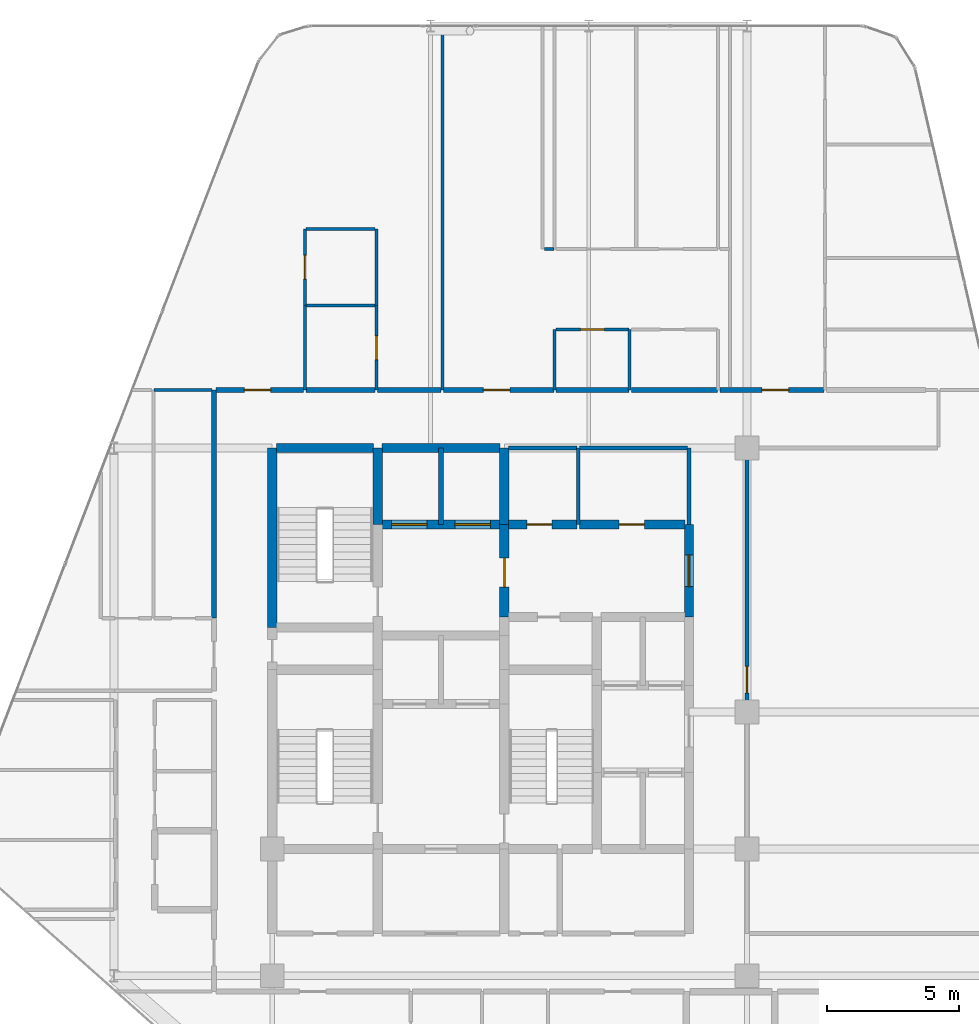
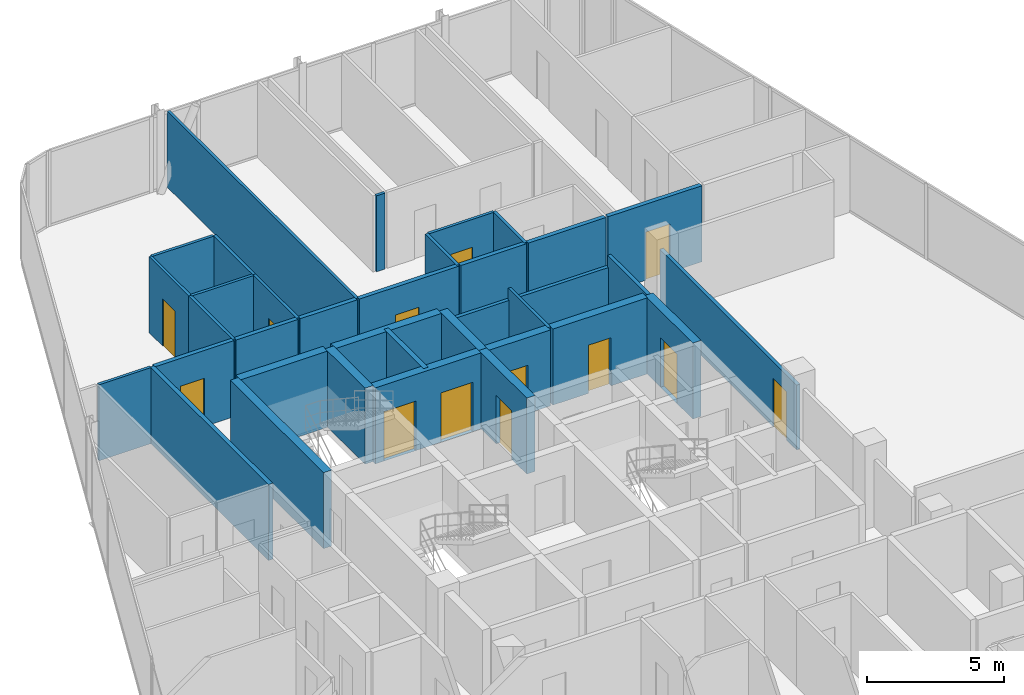
# One storey, part 27 of 29: 36 walls, 13 doors, 13 openings.
"""IFC4 building model written with IfcOpenShell, lengths in metres."""

from ifc_helpers import new_model, si_unit, direction, frame, frame_2d, origin, place, context, subcontext, project, spatial, rectangle, extrude, material, layer, layer_set, type_object, element, fill, save


model = new_model("IFC4")

# Units and contexts
model_context = context("Model", 3, precision=1e-05, world=origin(), true_north=direction((0.0, 1.0)))
body_context = subcontext(model_context, "Body", "Model", "MODEL_VIEW")
ifc_project = project(units=[si_unit("LENGTHUNIT", "METRE"), si_unit("AREAUNIT", "SQUARE_METRE"), si_unit("VOLUMEUNIT", "CUBIC_METRE"), si_unit("PLANEANGLEUNIT", "RADIAN"), si_unit("MASSUNIT", "GRAM", prefix="KILO")], contexts=[model_context])

# Site, building, storey
site_placement = place(None, origin())
site = spatial("IfcSite", under=ifc_project, at=site_placement, CompositionType="ELEMENT")
building_placement = place(site_placement, origin())
building = spatial("IfcBuilding", under=site, at=building_placement, Name="Keshet Zoharim Tower", CompositionType="ELEMENT")
storey_placement = place(building_placement, frame((0.0, 0.0, 169.10009765625)))
storey = spatial("IfcBuildingStorey", under=building, at=storey_placement, Name="L41", CompositionType="ELEMENT", Elevation=169.10009765625)

# Walls
ifc_material_1 = material(Name="Gypsum Plasterboard", Category="gypsum")
ifc_layer_1 = layer(ifc_material_1, 0.14990234375)
ifc_layer_set_1 = layer_set([ifc_layer_1], Name="Gypsum Plasterboard")
wall_type_1 = type_object("IfcWallType", Name="WL-CLIN-150", PredefinedType="STANDARD", material=ifc_layer_set_1)
wall_1_placement = place(storey_placement, frame((30.800048828125, 35.0, 0.0), z_axis=(0.0, 0.0, 1.0), x_axis=(0.0, 1.0, 0.0)))
element("IfcWall", 1, at=wall_1_placement, inside=storey, type_object=wall_type_1, Name="L41 Interior Wall 064", PredefinedType="STANDARD", context=body_context, shape_type="SweptSolid", body=[
    extrude(rectangle(XDim=2.89990234375, YDim=0.14990234375, at=frame_2d((1.449951171875, 0.0))), origin(), (0.0, 0.0, 1.0), 3.389892578125),
])
wall_2_placement = place(storey_placement, frame((23.9599609375, 37.89990234375, 0.0), z_axis=(0.0, 0.0, 1.0), x_axis=(1.0, 0.0, 0.0)))
element("IfcWall", 2, at=wall_2_placement, inside=storey, type_object=wall_type_1, Name="L41 Interior Wall 160", PredefinedType="STANDARD", context=body_context, shape_type="SweptSolid", body=[
    extrude(rectangle(XDim=2.594970703125, YDim=0.14990234375, at=frame_2d((1.29736328125, 0.0))), origin(), (0.0, 0.0, 1.0), 2.889892578125),
])
wall_3_placement = place(storey_placement, frame((26.64501953125, 37.89990234375, 0.0), z_axis=(0.0, 0.0, 1.0), x_axis=(1.0, 0.0, 0.0)))
element("IfcWall", 3, at=wall_3_placement, inside=storey, type_object=wall_type_1, Name="L41 Interior Wall 161", PredefinedType="STANDARD", context=body_context, shape_type="SweptSolid", body=[
    extrude(rectangle(XDim=4.094970703125, YDim=0.14990234375, at=frame_2d((2.04736328125, 0.0))), origin(), (0.0, 0.0, 1.0), 2.889892578125),
])

# Wall, opening, door
wall_4_placement = place(storey_placement, frame((33.0, 27.89990234375, 0.0), z_axis=(0.0, 0.0, 1.0), x_axis=(0.0, 1.0, 0.0)))
wall_4 = element("IfcWall", 4, at=wall_4_placement, inside=storey, type_object=wall_type_1, Name="L41 Interior Wall 068 Part 2", PredefinedType="STANDARD", context=body_context, shape_type="SweptSolid", body=[
    extrude(rectangle(XDim=9.989990234375, YDim=0.14990234375, at=frame_2d((4.9951171875, 0.0))), origin(), (0.0, 0.0, 1.0), 2.889892578125),
])
opening_1_placement = place(wall_4_placement, frame((0.721923828125, 0.0, 0.0)))
opening_1 = element("IfcOpeningElement", 5, at=opening_1_placement, cuts=wall_4, Name="Opening D-F310", PredefinedType="OPENING", context=body_context, shape_type="SweptSolid", body=[
    extrude(rectangle(XDim=1.0, YDim=2.14990234375, at=frame_2d((0.5, 1.074951171875))), frame((0.0, 0.0849609375, 0.0), z_axis=(0.0, -1.0, 0.0), x_axis=(1.0, 0.0, 0.0)), (0.0, 0.0, 1.0), 0.169921875),
])
ifc_material_2 = material(Name="Hardwood Timber", Category="wood")
door_type_1 = type_object("IfcDoorType", Name="DR-FD30-100", OperationType="NOTDEFINED", PredefinedType="DOOR", material=ifc_material_2)
door_1_placement = place(opening_1_placement, origin())
door_1 = element("IfcDoor", 6, at=door_1_placement, inside=storey, type_object=door_type_1, Name="L41 South East Residents Services Suite Door 2", OperationType="SINGLE_SWING_LEFT", OverallHeight=2.14990234375, OverallWidth=1.0, PredefinedType="DOOR", context=body_context, shape_type="SweptSolid", body=[
    extrude(rectangle(XDim=1.0, YDim=2.14990234375, at=frame_2d((0.5, 1.074951171875))), frame((0.0, 0.02490234375, 0.0), z_axis=(0.0, -1.0, 0.0), x_axis=(1.0, 0.0, 0.0)), (0.0, 0.0, 1.0), 0.050048828125),
])
fill(opening_1, door_1)

# Walls
ifc_material_3 = material(Name="Concrete C60/75", Category="concrete")
ifc_layer_2 = layer(ifc_material_3, 0.35009765625)
ifc_layer_set_2 = layer_set([ifc_layer_2], Name="Concrete C60/75")
wall_type_2 = type_object("IfcWallType", Name="WL-CORE-350", PredefinedType="SHEAR", material=ifc_layer_set_2)
wall_5_placement = place(storey_placement, frame((15.0, 31.10009765625, 0.0), z_axis=(0.0, 0.0, 1.0), x_axis=(0.0, 1.0, 0.0)))
element("IfcWall", 7, at=wall_5_placement, inside=storey, type_object=wall_type_2, Name="L41 Core Shear Wall 016", PredefinedType="SHEAR", context=body_context, shape_type="SweptSolid", body=[
    extrude(rectangle(XDim=6.7998046875, YDim=0.35009765625, at=frame_2d((3.39990234375, 0.0))), origin(), (0.0, 0.0, 1.0), 3.389892578125),
])
wall_6_placement = place(storey_placement, frame((19.0, 35.0, 0.0), z_axis=(0.0, 0.0, 1.0), x_axis=(0.0, 1.0, 0.0)))
element("IfcWall", 8, at=wall_6_placement, inside=storey, type_object=wall_type_2, Name="L41 Core Shear Wall 025", PredefinedType="SHEAR", context=body_context, shape_type="SweptSolid", body=[
    extrude(rectangle(XDim=2.89990234375, YDim=0.35009765625, at=frame_2d((1.449951171875, 0.0))), origin(), (0.0, 0.0, 1.0), 3.389892578125),
])

# Wall, opening, door
wall_7_placement = place(storey_placement, frame((23.800048828125, 31.5, 0.0), z_axis=(0.0, 0.0, 1.0), x_axis=(0.0, 1.0, 0.0)))
wall_7 = element("IfcWall", 9, at=wall_7_placement, inside=storey, type_object=wall_type_2, Name="L41 Core Shear Wall 038", PredefinedType="SHEAR", context=body_context, shape_type="SweptSolid", body=[
    extrude(rectangle(XDim=3.5, YDim=0.35009765625, at=frame_2d((1.75, 0.0))), origin(), (0.0, 0.0, 1.0), 3.389892578125),
])
opening_2_placement = place(wall_7_placement, frame((1.126953125, 0.0, 0.0)))
opening_2 = element("IfcOpeningElement", 10, at=opening_2_placement, cuts=wall_7, Name="Opening D-F611", PredefinedType="OPENING", context=body_context, shape_type="SweptSolid", body=[
    extrude(rectangle(XDim=1.10009765625, YDim=2.14990234375, at=frame_2d((0.550048828125, 1.074951171875))), frame((0.0, 0.18505859375, 0.0), z_axis=(0.0, -1.0, 0.0), x_axis=(1.0, 0.0, 0.0)), (0.0, 0.0, 1.0), 0.3701171875),
])
door_type_2 = type_object("IfcDoorType", Name="DR-FD60-110", OperationType="NOTDEFINED", PredefinedType="DOOR", material=ifc_material_2)
door_2_placement = place(opening_2_placement, origin())
door_2 = element("IfcDoor", 11, at=door_2_placement, inside=storey, type_object=door_type_2, Name="L41 Firefighting Lobby Fire Door", OperationType="SINGLE_SWING_RIGHT", OverallHeight=2.14990234375, OverallWidth=1.10009765625, PredefinedType="DOOR", context=body_context, shape_type="SweptSolid", body=[
    extrude(rectangle(XDim=1.10009765625, YDim=2.14990234375, at=frame_2d((0.550048828125, 1.074951171875))), frame((0.0, 0.02490234375, 0.0), z_axis=(0.0, -1.0, 0.0), x_axis=(1.0, 0.0, 0.0)), (0.0, 0.0, 1.0), 0.050048828125),
])
fill(opening_2, door_2)

# Wall
wall_8_placement = place(storey_placement, frame((23.800048828125, 35.0, 0.0), z_axis=(0.0, 0.0, 1.0), x_axis=(0.0, 1.0, 0.0)))
element("IfcWall", 12, at=wall_8_placement, inside=storey, type_object=wall_type_2, Name="L41 Core Shear Wall 039", PredefinedType="SHEAR", context=body_context, shape_type="SweptSolid", body=[
    extrude(rectangle(XDim=2.89990234375, YDim=0.35009765625, at=frame_2d((1.449951171875, 0.0))), origin(), (0.0, 0.0, 1.0), 3.389892578125),
])

# Wall, opening, door
wall_9_placement = place(storey_placement, frame((30.800048828125, 31.5, 0.0), z_axis=(0.0, 0.0, 1.0), x_axis=(0.0, 1.0, 0.0)))
wall_9 = element("IfcWall", 13, at=wall_9_placement, inside=storey, type_object=wall_type_2, Name="L41 Core Shear Wall 063", PredefinedType="SHEAR", context=body_context, shape_type="SweptSolid", body=[
    extrude(rectangle(XDim=3.5, YDim=0.35009765625, at=frame_2d((1.75, 0.0))), origin(), (0.0, 0.0, 1.0), 3.389892578125),
])
opening_3_placement = place(wall_9_placement, frame((1.14990234375, 0.0, 0.0)))
opening_3 = element("IfcOpeningElement", 14, at=opening_3_placement, cuts=wall_9, Name="Opening D-F612", PredefinedType="OPENING", context=body_context, shape_type="SweptSolid", body=[
    extrude(rectangle(XDim=1.199951171875, YDim=2.199951171875, at=frame_2d((0.60009765625, 1.10009765625))), frame((0.0, 0.18505859375, 0.0), z_axis=(0.0, -1.0, 0.0), x_axis=(1.0, 0.0, 0.0)), (0.0, 0.0, 1.0), 0.3701171875),
])
door_type_3 = type_object("IfcDoorType", Name="DR-FD60-120", OperationType="NOTDEFINED", PredefinedType="DOOR", material=ifc_material_2)
door_3_placement = place(opening_3_placement, origin())
door_3 = element("IfcDoor", 15, at=door_3_placement, inside=storey, type_object=door_type_3, Name="L41 North Lift Lobby East Fire Door", OperationType="SINGLE_SWING_RIGHT", OverallHeight=2.199951171875, OverallWidth=1.199951171875, PredefinedType="DOOR", context=body_context, shape_type="SweptSolid", body=[
    extrude(rectangle(XDim=1.199951171875, YDim=2.199951171875, at=frame_2d((0.60009765625, 1.10009765625))), frame((0.0, 0.02490234375, 0.0), z_axis=(0.0, -1.0, 0.0), x_axis=(1.0, 0.0, 0.0)), (0.0, 0.0, 1.0), 0.050048828125),
])
fill(opening_3, door_3)

# Wall, openings, doors
wall_10_placement = place(storey_placement, frame((19.159912109375, 35.0, 0.0), z_axis=(0.0, 0.0, 1.0), x_axis=(1.0, 0.0, 0.0)))
wall_10 = element("IfcWall", 16, at=wall_10_placement, inside=storey, type_object=wall_type_2, Name="L41 Core Shear Wall 155", PredefinedType="SHEAR", context=body_context, shape_type="SweptSolid", body=[
    extrude(rectangle(XDim=4.47998046875, YDim=0.35009765625, at=frame_2d((2.239990234375, 0.0))), origin(), (0.0, 0.0, 1.0), 3.389892578125),
])
opening_4_placement = place(wall_10_placement, frame((0.364990234375, 0.0, 0.0)))
opening_4 = element("IfcOpeningElement", 17, at=opening_4_placement, cuts=wall_10, Name="Opening LD-02", PredefinedType="OPENING", context=body_context, shape_type="SweptSolid", body=[
    extrude(rectangle(XDim=1.35009765625, YDim=2.199951171875, at=frame_2d((0.675048828125, 1.10009765625))), frame((0.0, 0.18505859375, 0.0), z_axis=(0.0, -1.0, 0.0), x_axis=(1.0, 0.0, 0.0)), (0.0, 0.0, 1.0), 0.3701171875),
])
opening_5_placement = place(wall_10_placement, frame((2.764892578125, 0.0, 0.0)))
opening_5 = element("IfcOpeningElement", 18, at=opening_5_placement, cuts=wall_10, Name="Opening LD-02", PredefinedType="OPENING", context=body_context, shape_type="SweptSolid", body=[
    extrude(rectangle(XDim=1.35009765625, YDim=2.199951171875, at=frame_2d((0.675048828125, 1.10009765625))), frame((0.0, 0.18505859375, 0.0), z_axis=(0.0, -1.0, 0.0), x_axis=(1.0, 0.0, 0.0)), (0.0, 0.0, 1.0), 0.3701171875),
])
ifc_material_4 = material(Name="Steel S355", Category="steel")
door_type_4 = type_object("IfcDoorType", Name="DR-LD02-135", OperationType="DOUBLE_DOOR_SLIDING", PredefinedType="DOOR", material=ifc_material_4)
door_4_placement = place(opening_4_placement, origin())
door_4 = element("IfcDoor", 19, at=door_4_placement, inside=storey, type_object=door_type_4, Name="L41 Firefighting Lift Landing Door FF-01", OperationType="DOUBLE_DOOR_SLIDING", OverallHeight=2.199951171875, OverallWidth=1.35009765625, PredefinedType="DOOR", context=body_context, shape_type="SweptSolid", body=[
    extrude(rectangle(XDim=1.35009765625, YDim=2.199951171875, at=frame_2d((0.675048828125, 1.10009765625))), frame((0.0, 0.02490234375, 0.0), z_axis=(0.0, -1.0, 0.0), x_axis=(1.0, 0.0, 0.0)), (0.0, 0.0, 1.0), 0.050048828125),
])
fill(opening_4, door_4)
door_5_placement = place(opening_5_placement, origin())
door_5 = element("IfcDoor", 20, at=door_5_placement, inside=storey, type_object=door_type_4, Name="L41 Firefighting Lift Landing Door FF-02", OperationType="DOUBLE_DOOR_SLIDING", OverallHeight=2.199951171875, OverallWidth=1.35009765625, PredefinedType="DOOR", context=body_context, shape_type="SweptSolid", body=[
    extrude(rectangle(XDim=1.35009765625, YDim=2.199951171875, at=frame_2d((0.675048828125, 1.10009765625))), frame((0.0, 0.02490234375, 0.0), z_axis=(0.0, -1.0, 0.0), x_axis=(1.0, 0.0, 0.0)), (0.0, 0.0, 1.0), 0.050048828125),
])
fill(opening_5, door_5)

# Wall, opening, door
wall_11_placement = place(storey_placement, frame((23.9599609375, 35.0, 0.0), z_axis=(0.0, 0.0, 1.0), x_axis=(1.0, 0.0, 0.0)))
wall_11 = element("IfcWall", 21, at=wall_11_placement, inside=storey, type_object=wall_type_2, Name="L41 Core Shear Wall 156", PredefinedType="SHEAR", context=body_context, shape_type="SweptSolid", body=[
    extrude(rectangle(XDim=2.594970703125, YDim=0.35009765625, at=frame_2d((1.29736328125, 0.0))), origin(), (0.0, 0.0, 1.0), 3.389892578125),
])
opening_6_placement = place(wall_11_placement, frame((0.69091796875, 0.0, 0.0)))
opening_6 = element("IfcOpeningElement", 22, at=opening_6_placement, cuts=wall_11, Name="Opening D-F695", PredefinedType="OPENING", context=body_context, shape_type="SweptSolid", body=[
    extrude(rectangle(XDim=0.949951171875, YDim=2.14990234375, at=frame_2d((0.47509765625, 1.074951171875))), frame((0.0, 0.18505859375, 0.0), z_axis=(0.0, -1.0, 0.0), x_axis=(1.0, 0.0, 0.0)), (0.0, 0.0, 1.0), 0.3701171875),
])
door_type_5 = type_object("IfcDoorType", Name="DR-FD60-095", OperationType="NOTDEFINED", PredefinedType="DOOR", material=ifc_material_2)
door_6_placement = place(opening_6_placement, frame((0.949951171875, 0.0, 0.0), z_axis=(0.0, 0.0, 1.0), x_axis=(-1.0, 0.0, 0.0)))
door_6 = element("IfcDoor", 23, at=door_6_placement, inside=storey, type_object=door_type_5, Name="L41 Laundry Room Door", OperationType="SINGLE_SWING_RIGHT", OverallHeight=2.14990234375, OverallWidth=0.949951171875, PredefinedType="DOOR", context=body_context, shape_type="SweptSolid", body=[
    extrude(rectangle(XDim=0.949951171875, YDim=2.14990234375, at=frame_2d((0.47509765625, 1.074951171875))), frame((0.0, 0.02490234375, 0.0), z_axis=(0.0, -1.0, 0.0), x_axis=(1.0, 0.0, 0.0)), (0.0, 0.0, 1.0), 0.050048828125),
])
fill(opening_6, door_6)

wall_12_placement = place(storey_placement, frame((26.64501953125, 35.0, 0.0), z_axis=(0.0, 0.0, 1.0), x_axis=(1.0, 0.0, 0.0)))
wall_12 = element("IfcWall", 24, at=wall_12_placement, inside=storey, type_object=wall_type_2, Name="L41 Core Shear Wall 157", PredefinedType="SHEAR", context=body_context, shape_type="SweptSolid", body=[
    extrude(rectangle(XDim=3.994873046875, YDim=0.35009765625, at=frame_2d((1.99755859375, 0.0))), origin(), (0.0, 0.0, 1.0), 3.389892578125),
])
opening_7_placement = place(wall_12_placement, frame((1.508056640625, 0.0, 0.0)))
opening_7 = element("IfcOpeningElement", 25, at=opening_7_placement, cuts=wall_12, Name="Opening D-F695", PredefinedType="OPENING", context=body_context, shape_type="SweptSolid", body=[
    extrude(rectangle(XDim=0.949951171875, YDim=2.14990234375, at=frame_2d((0.47509765625, 1.074951171875))), frame((0.0, 0.18505859375, 0.0), z_axis=(0.0, -1.0, 0.0), x_axis=(1.0, 0.0, 0.0)), (0.0, 0.0, 1.0), 0.3701171875),
])
door_7_placement = place(opening_7_placement, frame((0.949951171875, 0.0, 0.0), z_axis=(0.0, 0.0, 1.0), x_axis=(-1.0, 0.0, 0.0)))
door_7 = element("IfcDoor", 26, at=door_7_placement, inside=storey, type_object=door_type_5, Name="L41 Quiet Study Room Door", OperationType="SINGLE_SWING_LEFT", OverallHeight=2.14990234375, OverallWidth=0.949951171875, PredefinedType="DOOR", context=body_context, shape_type="SweptSolid", body=[
    extrude(rectangle(XDim=0.949951171875, YDim=2.14990234375, at=frame_2d((0.47509765625, 1.074951171875))), frame((0.0, 0.02490234375, 0.0), z_axis=(0.0, -1.0, 0.0), x_axis=(1.0, 0.0, 0.0)), (0.0, 0.0, 1.0), 0.050048828125),
])
fill(opening_7, door_7)

# Walls
wall_13_placement = place(storey_placement, frame((15.159912109375, 37.89990234375, 0.0), z_axis=(0.0, 0.0, 1.0), x_axis=(1.0, 0.0, 0.0)))
element("IfcWall", 27, at=wall_13_placement, inside=storey, type_object=wall_type_2, Name="L41 Core Shear Wall 158", PredefinedType="SHEAR", context=body_context, shape_type="SweptSolid", body=[
    extrude(rectangle(XDim=3.68017578125, YDim=0.35009765625, at=frame_2d((1.840087890625, 0.0))), origin(), (0.0, 0.0, 1.0), 3.389892578125),
])
wall_14_placement = place(storey_placement, frame((19.159912109375, 37.89990234375, 0.0), z_axis=(0.0, 0.0, 1.0), x_axis=(1.0, 0.0, 0.0)))
element("IfcWall", 28, at=wall_14_placement, inside=storey, type_object=wall_type_2, Name="L41 Core Shear Wall 159", PredefinedType="SHEAR", context=body_context, shape_type="SweptSolid", body=[
    extrude(rectangle(XDim=4.47998046875, YDim=0.35009765625, at=frame_2d((2.239990234375, 0.0))), origin(), (0.0, 0.0, 1.0), 3.389892578125),
])
ifc_layer_3 = layer(ifc_material_1, 0.179931640625)
ifc_layer_set_3 = layer_set([ifc_layer_3], Name="Gypsum Plasterboard")
wall_type_3 = type_object("IfcWallType", Name="WL-CORR-180", PredefinedType="STANDARD", material=ifc_layer_set_3)
wall_15_placement = place(storey_placement, frame((12.800048828125, 31.449951171875, 0.0), z_axis=(0.0, 0.0, 1.0), x_axis=(0.0, 1.0, 0.0)))
element("IfcWall", 29, at=wall_15_placement, inside=storey, type_object=wall_type_3, Name="L41 Interior Wall 012", PredefinedType="STANDARD", context=body_context, shape_type="SweptSolid", body=[
    extrude(rectangle(XDim=8.650146484375, YDim=0.179931640625, at=frame_2d((4.3251953125, 0.0))), origin(), (0.0, 0.0, 1.0), 3.389892578125),
])

# Wall, opening, door
wall_16_placement = place(storey_placement, frame((12.875, 40.10009765625, 0.0), z_axis=(0.0, 0.0, 1.0), x_axis=(1.0, 0.0, 0.0)))
wall_16 = element("IfcWall", 30, at=wall_16_placement, inside=storey, type_object=wall_type_3, Name="L41 Interior Wall 165", PredefinedType="STANDARD", context=body_context, shape_type="SweptSolid", body=[
    extrude(rectangle(XDim=3.320068359375, YDim=0.179931640625, at=frame_2d((1.66015625, 0.0))), origin(), (0.0, 0.0, 1.0), 3.389892578125),
])
opening_8_placement = place(wall_16_placement, frame((1.071044921875, 0.0, 0.0)))
opening_8 = element("IfcOpeningElement", 31, at=opening_8_placement, cuts=wall_16, Name="Opening D-F310", PredefinedType="OPENING", context=body_context, shape_type="SweptSolid", body=[
    extrude(rectangle(XDim=1.0, YDim=2.14990234375, at=frame_2d((0.5, 1.074951171875))), frame((0.0, 0.10009765625, 0.0), z_axis=(0.0, -1.0, 0.0), x_axis=(1.0, 0.0, 0.0)), (0.0, 0.0, 1.0), 0.199951171875),
])
door_8_placement = place(opening_8_placement, origin())
door_8 = element("IfcDoor", 32, at=door_8_placement, inside=storey, type_object=door_type_1, Name="Apartment 4104 Entrance Door", OperationType="SINGLE_SWING_RIGHT", OverallHeight=2.14990234375, OverallWidth=1.0, PredefinedType="DOOR", context=body_context, shape_type="SweptSolid", body=[
    extrude(rectangle(XDim=1.0, YDim=2.14990234375, at=frame_2d((0.5, 1.074951171875))), frame((0.0, 0.02490234375, 0.0), z_axis=(0.0, -1.0, 0.0), x_axis=(1.0, 0.0, 0.0)), (0.0, 0.0, 1.0), 0.050048828125),
])
fill(opening_8, door_8)

# Walls
wall_17_placement = place(storey_placement, frame((16.284912109375, 40.10009765625, 0.0), z_axis=(0.0, 0.0, 1.0), x_axis=(1.0, 0.0, 0.0)))
element("IfcWall", 33, at=wall_17_placement, inside=storey, type_object=wall_type_3, Name="L41 Interior Wall 166", PredefinedType="STANDARD", context=body_context, shape_type="SweptSolid", body=[
    extrude(rectangle(XDim=2.610107421875, YDim=0.179931640625, at=frame_2d((1.30517578125, 0.0))), origin(), (0.0, 0.0, 1.0), 3.389892578125),
])
wall_18_placement = place(storey_placement, frame((18.985107421875, 40.10009765625, 0.0), z_axis=(0.0, 0.0, 1.0), x_axis=(1.0, 0.0, 0.0)))
element("IfcWall", 34, at=wall_18_placement, inside=storey, type_object=wall_type_3, Name="L41 Interior Wall 167", PredefinedType="STANDARD", context=body_context, shape_type="SweptSolid", body=[
    extrude(rectangle(XDim=2.409912109375, YDim=0.179931640625, at=frame_2d((1.205078125, 0.0))), origin(), (0.0, 0.0, 1.0), 3.389892578125),
])

# Wall, opening, door
wall_19_placement = place(storey_placement, frame((21.485107421875, 40.10009765625, 0.0), z_axis=(0.0, 0.0, 1.0), x_axis=(1.0, 0.0, 0.0)))
wall_19 = element("IfcWall", 35, at=wall_19_placement, inside=storey, type_object=wall_type_3, Name="L41 Interior Wall 168", PredefinedType="STANDARD", context=body_context, shape_type="SweptSolid", body=[
    extrude(rectangle(XDim=4.18994140625, YDim=0.179931640625, at=frame_2d((2.094970703125, 0.0))), origin(), (0.0, 0.0, 1.0), 3.389892578125),
])
opening_9_placement = place(wall_19_placement, frame((1.52197265625, 0.0, 0.0)))
opening_9 = element("IfcOpeningElement", 36, at=opening_9_placement, cuts=wall_19, Name="Opening D-F310", PredefinedType="OPENING", context=body_context, shape_type="SweptSolid", body=[
    extrude(rectangle(XDim=1.0, YDim=2.14990234375, at=frame_2d((0.5, 1.074951171875))), frame((0.0, 0.10009765625, 0.0), z_axis=(0.0, -1.0, 0.0), x_axis=(1.0, 0.0, 0.0)), (0.0, 0.0, 1.0), 0.199951171875),
])
door_9_placement = place(opening_9_placement, origin())
door_9 = element("IfcDoor", 37, at=door_9_placement, inside=storey, type_object=door_type_1, Name="Apartment 4105 Entrance Door", OperationType="SINGLE_SWING_LEFT", OverallHeight=2.14990234375, OverallWidth=1.0, PredefinedType="DOOR", context=body_context, shape_type="SweptSolid", body=[
    extrude(rectangle(XDim=1.0, YDim=2.14990234375, at=frame_2d((0.5, 1.074951171875))), frame((0.0, 0.02490234375, 0.0), z_axis=(0.0, -1.0, 0.0), x_axis=(1.0, 0.0, 0.0)), (0.0, 0.0, 1.0), 0.050048828125),
])
fill(opening_9, door_9)

# Walls
wall_20_placement = place(storey_placement, frame((25.764892578125, 40.10009765625, 0.0), z_axis=(0.0, 0.0, 1.0), x_axis=(1.0, 0.0, 0.0)))
element("IfcWall", 38, at=wall_20_placement, inside=storey, type_object=wall_type_3, Name="L41 Interior Wall 169", PredefinedType="STANDARD", context=body_context, shape_type="SweptSolid", body=[
    extrude(rectangle(XDim=2.76220703125, YDim=0.179931640625, at=frame_2d((1.381103515625, 0.0))), origin(), (0.0, 0.0, 1.0), 3.389892578125),
])
wall_21_placement = place(storey_placement, frame((28.616943359375, 40.10009765625, 0.0), z_axis=(0.0, 0.0, 1.0), x_axis=(1.0, 0.0, 0.0)))
element("IfcWall", 39, at=wall_21_placement, inside=storey, type_object=wall_type_3, Name="L41 Interior Wall 170", PredefinedType="STANDARD", context=body_context, shape_type="SweptSolid", body=[
    extrude(rectangle(XDim=3.258056640625, YDim=0.179931640625, at=frame_2d((1.62890625, 0.0))), origin(), (0.0, 0.0, 1.0), 3.389892578125),
])

# Wall, opening, door
wall_22_placement = place(storey_placement, frame((31.965087890625, 40.10009765625, 0.0), z_axis=(0.0, 0.0, 1.0), x_axis=(1.0, 0.0, 0.0)))
wall_22 = element("IfcWall", 40, at=wall_22_placement, inside=storey, type_object=wall_type_3, Name="L41 Interior Wall 171", PredefinedType="STANDARD", context=body_context, shape_type="SweptSolid", body=[
    extrude(rectangle(XDim=3.9599609375, YDim=0.179931640625, at=frame_2d((1.97998046875, 0.0))), origin(), (0.0, 0.0, 1.0), 3.389892578125),
])
opening_10_placement = place(wall_22_placement, frame((1.60888671875, 0.0, 0.0)))
opening_10 = element("IfcOpeningElement", 41, at=opening_10_placement, cuts=wall_22, Name="Opening D-F310", PredefinedType="OPENING", context=body_context, shape_type="SweptSolid", body=[
    extrude(rectangle(XDim=1.0, YDim=2.14990234375, at=frame_2d((0.5, 1.074951171875))), frame((0.0, 0.10009765625, 0.0), z_axis=(0.0, -1.0, 0.0), x_axis=(1.0, 0.0, 0.0)), (0.0, 0.0, 1.0), 0.199951171875),
])
door_10_placement = place(opening_10_placement, origin())
door_10 = element("IfcDoor", 42, at=door_10_placement, inside=storey, type_object=door_type_1, Name="Apartment 4106 Entrance Door", OperationType="SINGLE_SWING_RIGHT", OverallHeight=2.14990234375, OverallWidth=1.0, PredefinedType="DOOR", context=body_context, shape_type="SweptSolid", body=[
    extrude(rectangle(XDim=1.0, YDim=2.14990234375, at=frame_2d((0.5, 1.074951171875))), frame((0.0, 0.02490234375, 0.0), z_axis=(0.0, -1.0, 0.0), x_axis=(1.0, 0.0, 0.0)), (0.0, 0.0, 1.0), 0.050048828125),
])
fill(opening_10, door_10)

# Walls
ifc_material_5 = material(Name="Concrete C50/60", Category="concrete")
ifc_layer_4 = layer(ifc_material_5, 0.199951171875)
ifc_layer_set_4 = layer_set([ifc_layer_4], Name="Concrete C50/60")
wall_type_4 = type_object("IfcWallType", Name="WL-FIRE-200", PredefinedType="STANDARD", material=ifc_layer_set_4)
wall_23_placement = place(storey_placement, frame((21.39990234375, 35.0, 0.0), z_axis=(0.0, 0.0, 1.0), x_axis=(0.0, 1.0, 0.0)))
element("IfcWall", 43, at=wall_23_placement, inside=storey, type_object=wall_type_4, Name="L41 Interior Wall 029", PredefinedType="STANDARD", context=body_context, shape_type="SweptSolid", body=[
    extrude(rectangle(XDim=2.89990234375, YDim=0.199951171875, at=frame_2d((1.449951171875, 0.0))), origin(), (0.0, 0.0, 1.0), 3.389892578125),
])
ifc_layer_5 = layer(ifc_material_1, 0.1201171875)
ifc_layer_set_5 = layer_set([ifc_layer_5], Name="Gypsum Plasterboard")
wall_type_5 = type_object("IfcWallType", Name="WL-PART-120", PredefinedType="PARTITIONING", material=ifc_layer_set_5)
wall_24_placement = place(storey_placement, frame((16.25, 40.10009765625, 0.0), z_axis=(0.0, 0.0, 1.0), x_axis=(0.0, 1.0, 0.0)))
element("IfcWall", 44, at=wall_24_placement, inside=storey, type_object=wall_type_5, Name="L41 Interior Wall 017", PredefinedType="PARTITIONING", context=body_context, shape_type="SweptSolid", body=[
    extrude(rectangle(XDim=3.199951171875, YDim=0.1201171875, at=frame_2d((1.60009765625, 0.0))), origin(), (0.0, 0.0, 1.0), 3.389892578125),
])

# Wall, opening, door
wall_25_placement = place(storey_placement, frame((18.949951171875, 40.10009765625, 0.0), z_axis=(0.0, 0.0, 1.0), x_axis=(0.0, 1.0, 0.0)))
wall_25 = element("IfcWall", 45, at=wall_25_placement, inside=storey, type_object=wall_type_5, Name="L41 Interior Wall 019", PredefinedType="PARTITIONING", context=body_context, shape_type="SweptSolid", body=[
    extrude(rectangle(XDim=3.199951171875, YDim=0.1201171875, at=frame_2d((1.60009765625, 0.0))), origin(), (0.0, 0.0, 1.0), 3.389892578125),
])
opening_11_placement = place(wall_25_placement, frame((1.14990234375, 0.0, 0.0)))
opening_11 = element("IfcOpeningElement", 46, at=opening_11_placement, cuts=wall_25, Name="Opening D-IN90", PredefinedType="OPENING", context=body_context, shape_type="SweptSolid", body=[
    extrude(rectangle(XDim=0.89990234375, YDim=2.14990234375, at=frame_2d((0.449951171875, 1.074951171875))), frame((0.0, 0.070068359375, 0.0), z_axis=(0.0, -1.0, 0.0), x_axis=(1.0, 0.0, 0.0)), (0.0, 0.0, 1.0), 0.14013671875),
])
door_type_6 = type_object("IfcDoorType", Name="DR-INT-090", OperationType="NOTDEFINED", PredefinedType="DOOR", material=ifc_material_2)
door_11_placement = place(opening_11_placement, origin())
door_11 = element("IfcDoor", 47, at=door_11_placement, inside=storey, type_object=door_type_6, Name="Apartment 4104 Kitchenette Door", OperationType="SINGLE_SWING_RIGHT", OverallHeight=2.14990234375, OverallWidth=0.89990234375, PredefinedType="DOOR", context=body_context, shape_type="SweptSolid", body=[
    extrude(rectangle(XDim=0.89990234375, YDim=2.14990234375, at=frame_2d((0.449951171875, 1.074951171875))), frame((0.0, 0.02490234375, 0.0), z_axis=(0.0, -1.0, 0.0), x_axis=(1.0, 0.0, 0.0)), (0.0, 0.0, 1.0), 0.050048828125),
])
fill(opening_11, door_11)

# Walls
wall_26_placement = place(storey_placement, frame((21.449951171875, 40.10009765625, 0.0), z_axis=(0.0, 0.0, 1.0), x_axis=(0.0, 1.0, 0.0)))
element("IfcWall", 48, at=wall_26_placement, inside=storey, type_object=wall_type_5, Name="L41 Interior Wall 030", PredefinedType="PARTITIONING", context=body_context, shape_type="SweptSolid", body=[
    extrude(rectangle(XDim=13.789794921875, YDim=0.1201171875, at=frame_2d((6.89501953125, 0.0))), origin(), (0.0, 0.0, 1.0), 3.389892578125),
])
wall_27_placement = place(storey_placement, frame((25.699951171875, 40.10009765625, 0.0), z_axis=(0.0, 0.0, 1.0), x_axis=(0.0, 1.0, 0.0)))
element("IfcWall", 49, at=wall_27_placement, inside=storey, type_object=wall_type_5, Name="L41 Interior Wall 043", PredefinedType="PARTITIONING", context=body_context, shape_type="SweptSolid", body=[
    extrude(rectangle(XDim=2.2998046875, YDim=0.1201171875, at=frame_2d((1.14990234375, 0.0))), origin(), (0.0, 0.0, 1.0), 3.389892578125),
])
wall_28_placement = place(storey_placement, frame((26.60009765625, 35.0, 0.0), z_axis=(0.0, 0.0, 1.0), x_axis=(0.0, 1.0, 0.0)))
element("IfcWall", 50, at=wall_28_placement, inside=storey, type_object=wall_type_5, Name="L41 Interior Wall 046", PredefinedType="PARTITIONING", context=body_context, shape_type="SweptSolid", body=[
    extrude(rectangle(XDim=2.89990234375, YDim=0.1201171875, at=frame_2d((1.449951171875, 0.0))), origin(), (0.0, 0.0, 1.0), 3.389892578125),
])

# Wall, opening, door
wall_29_placement = place(storey_placement, frame((25.764892578125, 42.39990234375, 0.0), z_axis=(0.0, 0.0, 1.0), x_axis=(1.0, 0.0, 0.0)))
wall_29 = element("IfcWall", 51, at=wall_29_placement, inside=storey, type_object=wall_type_5, Name="L41 Interior Wall 175", PredefinedType="PARTITIONING", context=body_context, shape_type="SweptSolid", body=[
    extrude(rectangle(XDim=2.76220703125, YDim=0.1201171875, at=frame_2d((1.381103515625, 0.0))), origin(), (0.0, 0.0, 1.0), 3.389892578125),
])
opening_12_placement = place(wall_29_placement, frame((0.930908203125, 0.0, 0.0)))
opening_12 = element("IfcOpeningElement", 52, at=opening_12_placement, cuts=wall_29, Name="Opening D-IN90", PredefinedType="OPENING", context=body_context, shape_type="SweptSolid", body=[
    extrude(rectangle(XDim=0.89990234375, YDim=2.14990234375, at=frame_2d((0.449951171875, 1.074951171875))), frame((0.0, 0.070068359375, 0.0), z_axis=(0.0, -1.0, 0.0), x_axis=(1.0, 0.0, 0.0)), (0.0, 0.0, 1.0), 0.14013671875),
])
door_12_placement = place(opening_12_placement, origin())
door_12 = element("IfcDoor", 53, at=door_12_placement, inside=storey, type_object=door_type_6, Name="Apartment 4105 Kitchen Door", OperationType="SINGLE_SWING_LEFT", OverallHeight=2.14990234375, OverallWidth=0.89990234375, PredefinedType="DOOR", context=body_context, shape_type="SweptSolid", body=[
    extrude(rectangle(XDim=0.89990234375, YDim=2.14990234375, at=frame_2d((0.449951171875, 1.074951171875))), frame((0.0, 0.02490234375, 0.0), z_axis=(0.0, -1.0, 0.0), x_axis=(1.0, 0.0, 0.0)), (0.0, 0.0, 1.0), 0.050048828125),
])
fill(opening_12, door_12)

# Wall
wall_30_placement = place(storey_placement, frame((25.31494140625, 45.449951171875, 0.0), z_axis=(0.0, 0.0, 1.0), x_axis=(1.0, 0.0, 0.0)))
element("IfcWall", 54, at=wall_30_placement, inside=storey, type_object=wall_type_5, Name="L41 Interior Wall 180", PredefinedType="PARTITIONING", context=body_context, shape_type="SweptSolid", body=[
    extrude(rectangle(XDim=0.360107421875, YDim=0.1201171875, at=frame_2d((0.18017578125, 0.0))), origin(), (0.0, 0.0, 1.0), 3.389892578125),
])

# Wall, opening, door
ifc_layer_6 = layer(ifc_material_1, 0.1201171875)
ifc_layer_set_6 = layer_set([ifc_layer_6], Name="Gypsum Plasterboard")
wall_type_6 = type_object("IfcWallType", Name="WL-WET-120", PredefinedType="PARTITIONING", material=ifc_layer_set_6)
wall_31_placement = place(storey_placement, frame((16.25, 43.300048828125, 0.0), z_axis=(0.0, 0.0, 1.0), x_axis=(0.0, 1.0, 0.0)))
wall_31 = element("IfcWall", 55, at=wall_31_placement, inside=storey, type_object=wall_type_6, Name="L41 Interior Wall 018", PredefinedType="PARTITIONING", context=body_context, shape_type="SweptSolid", body=[
    extrude(rectangle(XDim=2.89990234375, YDim=0.1201171875, at=frame_2d((1.449951171875, 0.0))), origin(), (0.0, 0.0, 1.0), 3.389892578125),
])
opening_13_placement = place(wall_31_placement, frame((1.0, 0.0, 0.0)))
opening_13 = element("IfcOpeningElement", 56, at=opening_13_placement, cuts=wall_31, Name="Opening D-WT90", PredefinedType="OPENING", context=body_context, shape_type="SweptSolid", body=[
    extrude(rectangle(XDim=0.89990234375, YDim=2.10009765625, at=frame_2d((0.449951171875, 1.050048828125))), frame((0.0, 0.070068359375, 0.0), z_axis=(0.0, -1.0, 0.0), x_axis=(1.0, 0.0, 0.0)), (0.0, 0.0, 1.0), 0.14013671875),
])
door_type_7 = type_object("IfcDoorType", Name="DR-WET-090", OperationType="NOTDEFINED", PredefinedType="DOOR", material=ifc_material_2)
door_13_placement = place(opening_13_placement, origin())
door_13 = element("IfcDoor", 57, at=door_13_placement, inside=storey, type_object=door_type_7, Name="Apartment 4104 Bathroom Door", OperationType="SINGLE_SWING_LEFT", OverallHeight=2.10009765625, OverallWidth=0.89990234375, PredefinedType="DOOR", context=body_context, shape_type="SweptSolid", body=[
    extrude(rectangle(XDim=0.89990234375, YDim=2.10009765625, at=frame_2d((0.449951171875, 1.050048828125))), frame((0.0, 0.02490234375, 0.0), z_axis=(0.0, -1.0, 0.0), x_axis=(1.0, 0.0, 0.0)), (0.0, 0.0, 1.0), 0.050048828125),
])
fill(opening_13, door_13)

# Walls
wall_32_placement = place(storey_placement, frame((18.949951171875, 43.300048828125, 0.0), z_axis=(0.0, 0.0, 1.0), x_axis=(0.0, 1.0, 0.0)))
element("IfcWall", 58, at=wall_32_placement, inside=storey, type_object=wall_type_6, Name="L41 Interior Wall 020", PredefinedType="PARTITIONING", context=body_context, shape_type="SweptSolid", body=[
    extrude(rectangle(XDim=2.89990234375, YDim=0.1201171875, at=frame_2d((1.449951171875, 0.0))), origin(), (0.0, 0.0, 1.0), 3.389892578125),
])
wall_33_placement = place(storey_placement, frame((28.550048828125, 40.10009765625, 0.0), z_axis=(0.0, 0.0, 1.0), x_axis=(0.0, 1.0, 0.0)))
element("IfcWall", 59, at=wall_33_placement, inside=storey, type_object=wall_type_6, Name="L41 Interior Wall 052", PredefinedType="PARTITIONING", context=body_context, shape_type="SweptSolid", body=[
    extrude(rectangle(XDim=2.2998046875, YDim=0.1201171875, at=frame_2d((1.14990234375, 0.0))), origin(), (0.0, 0.0, 1.0), 3.389892578125),
])
wall_34_placement = place(storey_placement, frame((10.52294921875, 40.10009765625, 0.0), z_axis=(0.0, 0.0, 1.0), x_axis=(1.0, 0.0, 0.0)))
element("IfcWall", 60, at=wall_34_placement, inside=storey, type_object=wall_type_6, Name="L41 Interior Wall 164", PredefinedType="PARTITIONING", context=body_context, shape_type="SweptSolid", body=[
    extrude(rectangle(XDim=2.2021484375, YDim=0.1201171875, at=frame_2d((1.10107421875, 0.0))), origin(), (0.0, 0.0, 1.0), 3.389892578125),
])
for number, where, z_axis, x_axis, name in (
    (61, (16.284912109375, 43.300048828125, 0.0), (0.0, 0.0, 1.0), (1.0, 0.0, 0.0), "L41 Interior Wall 178"),
    (62, (16.284912109375, 46.199951171875, 0.0), (0.0, 0.0, 1.0), (1.0, 0.0, 0.0), "L41 Interior Wall 183"),
):
    element("IfcWall", number, at=place(storey_placement, frame(where, z_axis=z_axis, x_axis=x_axis)), inside=storey, type_object=wall_type_6, Name=name, PredefinedType="PARTITIONING", context=body_context, shape_type="SweptSolid", body=[
        extrude(rectangle(XDim=2.610107421875, YDim=0.1201171875, at=frame_2d((1.30517578125, 0.0))), origin(), (0.0, 0.0, 1.0), 3.389892578125),
    ])

save(model, "model.ifc")
